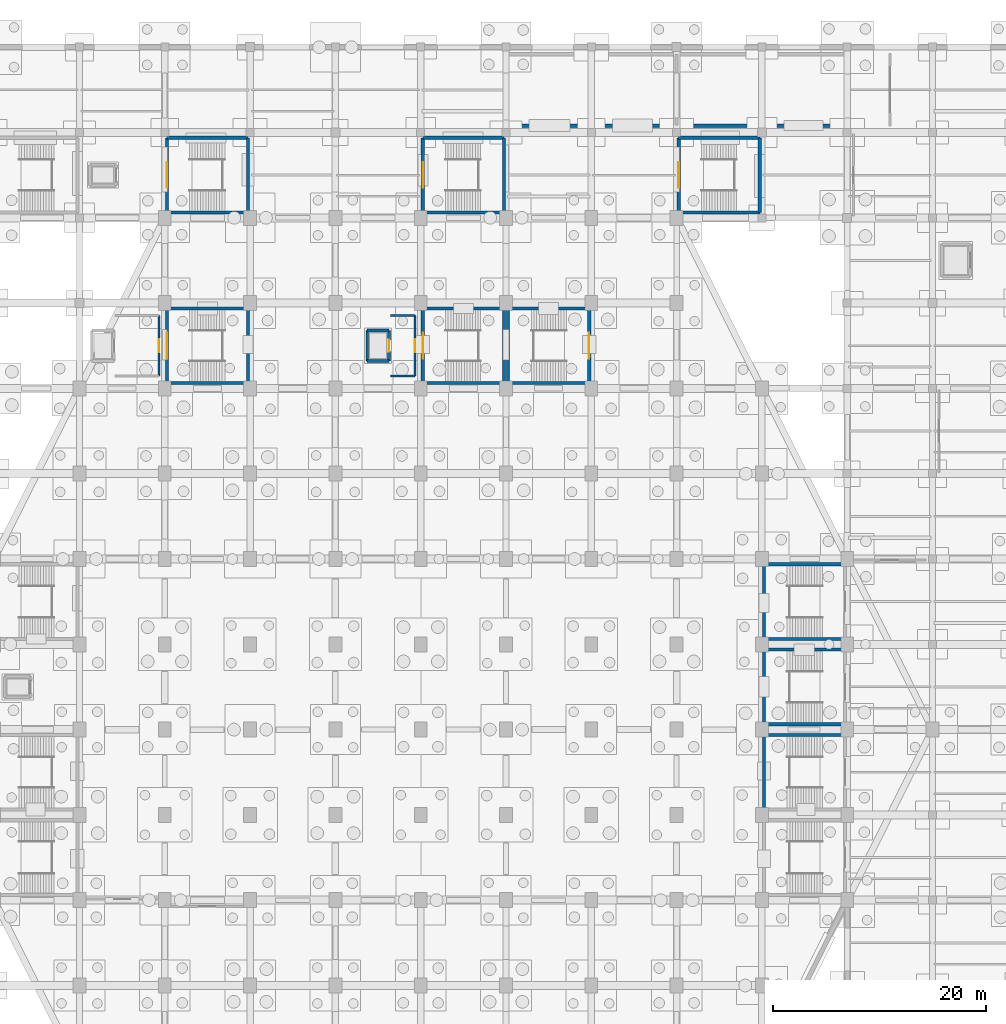
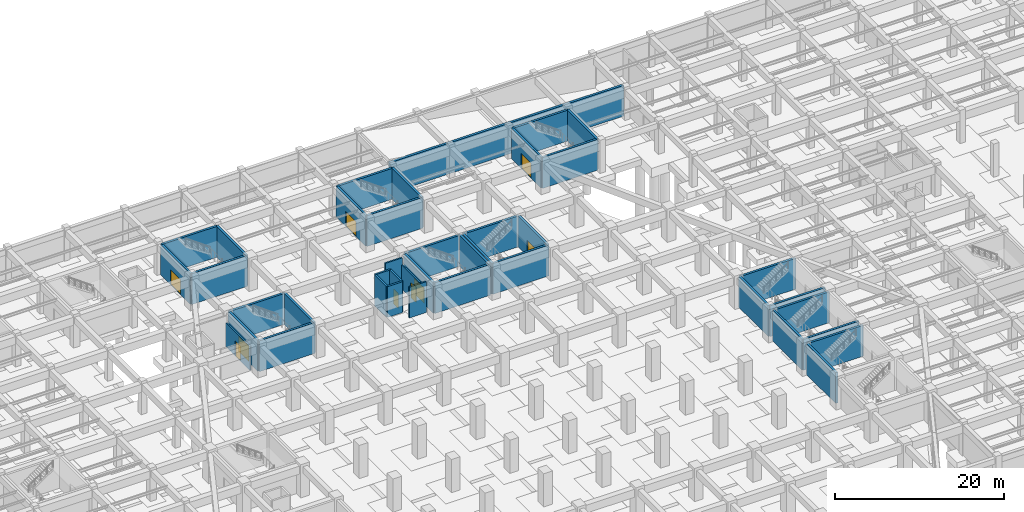
# One storey, part 27 of 36: 41 walls, 9 doors, 9 openings.
"""IFC4 building model written with IfcOpenShell, lengths in metres."""

from ifc_helpers import new_model, si_unit, direction, frame, frame_2d, origin, place, context, subcontext, project, spatial, rectangle, extrude, material, layer, layer_set, type_object, element, fill, save


model = new_model("IFC4")

# Units and contexts
model_context = context("Model", 3, precision=1e-05, world=origin(), true_north=direction((0.0, 1.0)))
body_context = subcontext(model_context, "Body", "Model", "MODEL_VIEW")
ifc_project = project(units=[si_unit("LENGTHUNIT", "METRE"), si_unit("AREAUNIT", "SQUARE_METRE"), si_unit("VOLUMEUNIT", "CUBIC_METRE"), si_unit("PLANEANGLEUNIT", "RADIAN"), si_unit("MASSUNIT", "GRAM", prefix="KILO")], contexts=[model_context])

# Site, building, storey
site_placement = place(None, origin())
site = spatial("IfcSite", under=ifc_project, at=site_placement, CompositionType="ELEMENT")
building_placement = place(site_placement, origin())
building = spatial("IfcBuilding", under=site, at=building_placement, Name="Tazarka Park Arena", CompositionType="ELEMENT")
storey_placement = place(building_placement, frame((0.0, 0.0, -4.800048828125)))
storey = spatial("IfcBuildingStorey", under=building, at=storey_placement, Name="B1", CompositionType="ELEMENT", Elevation=-4.800048828125)

# Wall
ifc_material_1 = material(Name="Concrete C40/50", Category="concrete")
ifc_layer_1 = layer(ifc_material_1, 0.300048828125, Name="Concrete C40/50")
ifc_layer_set_1 = layer_set([ifc_layer_1], Name="Concrete C40/50")
wall_type_1 = type_object("IfcWallType", Name="IWAL-CW-S1", PredefinedType="SHEAR", material=ifc_layer_set_1)
wall_1_placement = place(storey_placement, frame((71.800048828125, 112.5, 0.0), z_axis=(0.0, 0.0, 1.0), x_axis=(-1.0, 0.0, 0.0)))
element("IfcWall", 1, at=wall_1_placement, inside=storey, type_object=wall_type_1, Name="SCW-B1-ST06-S", PredefinedType="SHEAR", context=body_context, shape_type="SweptSolid", body=[
    extrude(rectangle(XDim=7.60009765625, YDim=0.300048828125, at=frame_2d((3.800048828125, 0.0))), origin(), (0.0, 0.0, 1.0), 4.4599609375),
])

# Wall, opening, door
wall_2_placement = place(storey_placement, frame((64.199951171875, 112.5, 0.0), z_axis=(0.0, 0.0, 1.0), x_axis=(0.0, 1.0, 0.0)))
wall_2 = element("IfcWall", 2, at=wall_2_placement, inside=storey, type_object=wall_type_1, Name="SCW-B1-ST06-W", PredefinedType="SHEAR", context=body_context, shape_type="SweptSolid", body=[
    extrude(rectangle(XDim=7.0, YDim=0.300048828125, at=frame_2d((3.5, 0.0))), origin(), (0.0, 0.0, 1.0), 4.4599609375),
])
opening_1_placement = place(wall_2_placement, frame((2.300048828125, 0.0, 0.0)))
opening_1 = element("IfcOpeningElement", 3, at=opening_1_placement, cuts=wall_2, Name="Opening ID-05", PredefinedType="OPENING", context=body_context, shape_type="SweptSolid", body=[
    extrude(rectangle(XDim=2.39990234375, YDim=2.199951171875, at=frame_2d((1.199951171875, 1.10009765625))), frame((0.0, 0.16015625, 0.0), z_axis=(0.0, -1.0, 0.0), x_axis=(1.0, 0.0, 0.0)), (0.0, 0.0, 1.0), 0.320068359375),
])
ifc_material_2 = material(Name="Fire-rated powder-coated steel and acoustic timber", Category="steel")
door_type_1 = type_object("IfcDoorType", Name="IDR-ID-05", OperationType="NOTDEFINED", PredefinedType="DOOR", material=ifc_material_2)
door_1_placement = place(opening_1_placement, frame((2.39990234375, 0.0, 0.0), z_axis=(0.0, 0.0, 1.0), x_axis=(-1.0, 0.0, 0.0)))
door_1 = element("IfcDoor", 4, at=door_1_placement, inside=storey, type_object=door_type_1, Name="Exit Stair Door ST06-B1", OperationType="DOUBLE_DOOR_SINGLE_SWING", OverallHeight=2.199951171875, OverallWidth=2.39990234375, PredefinedType="DOOR", context=body_context, shape_type="SweptSolid", body=[
    extrude(rectangle(XDim=2.39990234375, YDim=2.199951171875, at=frame_2d((1.199951171875, 1.10009765625))), frame((0.0, 0.02490234375, 0.0), z_axis=(0.0, -1.0, 0.0), x_axis=(1.0, 0.0, 0.0)), (0.0, 0.0, 1.0), 0.050048828125),
])
fill(opening_1, door_1)

# Walls
wall_3_placement = place(storey_placement, frame((64.199951171875, 119.5, 0.0), z_axis=(0.0, 0.0, 1.0), x_axis=(1.0, 0.0, 0.0)))
element("IfcWall", 5, at=wall_3_placement, inside=storey, type_object=wall_type_1, Name="SCW-B1-ST06-N", PredefinedType="SHEAR", context=body_context, shape_type="SweptSolid", body=[
    extrude(rectangle(XDim=7.60009765625, YDim=0.300048828125, at=frame_2d((3.800048828125, 0.0))), origin(), (0.0, 0.0, 1.0), 4.4599609375),
])
wall_4_placement = place(storey_placement, frame((71.800048828125, 119.5, 0.0), z_axis=(0.0, 0.0, 1.0), x_axis=(0.0, -1.0, 0.0)))
element("IfcWall", 6, at=wall_4_placement, inside=storey, type_object=wall_type_1, Name="SCW-B1-ST06-E", PredefinedType="SHEAR", context=body_context, shape_type="SweptSolid", body=[
    extrude(rectangle(XDim=7.0, YDim=0.300048828125, at=frame_2d((3.5, 0.0))), origin(), (0.0, 0.0, 1.0), 4.4599609375),
])
wall_5_placement = place(storey_placement, frame((95.800048828125, 112.5, 0.0), z_axis=(0.0, 0.0, 1.0), x_axis=(-1.0, 0.0, 0.0)))
element("IfcWall", 7, at=wall_5_placement, inside=storey, type_object=wall_type_1, Name="SCW-B1-ST07-S", PredefinedType="SHEAR", context=body_context, shape_type="SweptSolid", body=[
    extrude(rectangle(XDim=7.60009765625, YDim=0.300048828125, at=frame_2d((3.800048828125, 0.0))), origin(), (0.0, 0.0, 1.0), 4.4599609375),
])

# Wall, opening, door
wall_6_placement = place(storey_placement, frame((88.199951171875, 112.5, 0.0), z_axis=(0.0, 0.0, 1.0), x_axis=(0.0, 1.0, 0.0)))
wall_6 = element("IfcWall", 8, at=wall_6_placement, inside=storey, type_object=wall_type_1, Name="SCW-B1-ST07-W", PredefinedType="SHEAR", context=body_context, shape_type="SweptSolid", body=[
    extrude(rectangle(XDim=7.0, YDim=0.300048828125, at=frame_2d((3.5, 0.0))), origin(), (0.0, 0.0, 1.0), 4.4599609375),
])
opening_2_placement = place(wall_6_placement, frame((2.300048828125, 0.0, 0.0)))
opening_2 = element("IfcOpeningElement", 9, at=opening_2_placement, cuts=wall_6, Name="Opening ID-05", PredefinedType="OPENING", context=body_context, shape_type="SweptSolid", body=[
    extrude(rectangle(XDim=2.39990234375, YDim=2.199951171875, at=frame_2d((1.199951171875, 1.10009765625))), frame((0.0, 0.16015625, 0.0), z_axis=(0.0, -1.0, 0.0), x_axis=(1.0, 0.0, 0.0)), (0.0, 0.0, 1.0), 0.320068359375),
])
door_2_placement = place(opening_2_placement, frame((2.39990234375, 0.0, 0.0), z_axis=(0.0, 0.0, 1.0), x_axis=(-1.0, 0.0, 0.0)))
door_2 = element("IfcDoor", 10, at=door_2_placement, inside=storey, type_object=door_type_1, Name="Exit Stair Door ST07-B1", OperationType="DOUBLE_DOOR_SINGLE_SWING", OverallHeight=2.199951171875, OverallWidth=2.39990234375, PredefinedType="DOOR", context=body_context, shape_type="SweptSolid", body=[
    extrude(rectangle(XDim=2.39990234375, YDim=2.199951171875, at=frame_2d((1.199951171875, 1.10009765625))), frame((0.0, 0.02490234375, 0.0), z_axis=(0.0, -1.0, 0.0), x_axis=(1.0, 0.0, 0.0)), (0.0, 0.0, 1.0), 0.050048828125),
])
fill(opening_2, door_2)

# Walls
wall_7_placement = place(storey_placement, frame((88.199951171875, 119.5, 0.0), z_axis=(0.0, 0.0, 1.0), x_axis=(1.0, 0.0, 0.0)))
element("IfcWall", 11, at=wall_7_placement, inside=storey, type_object=wall_type_1, Name="SCW-B1-ST07-N", PredefinedType="SHEAR", context=body_context, shape_type="SweptSolid", body=[
    extrude(rectangle(XDim=7.60009765625, YDim=0.300048828125, at=frame_2d((3.800048828125, 0.0))), origin(), (0.0, 0.0, 1.0), 4.4599609375),
])
wall_8_placement = place(storey_placement, frame((95.800048828125, 119.5, 0.0), z_axis=(0.0, 0.0, 1.0), x_axis=(0.0, -1.0, 0.0)))
element("IfcWall", 12, at=wall_8_placement, inside=storey, type_object=wall_type_1, Name="SCW-B1-ST07-E", PredefinedType="SHEAR", context=body_context, shape_type="SweptSolid", body=[
    extrude(rectangle(XDim=7.0, YDim=0.300048828125, at=frame_2d((3.5, 0.0))), origin(), (0.0, 0.0, 1.0), 4.4599609375),
])
wall_9_placement = place(storey_placement, frame((119.800048828125, 112.5, 0.0), z_axis=(0.0, 0.0, 1.0), x_axis=(-1.0, 0.0, 0.0)))
element("IfcWall", 13, at=wall_9_placement, inside=storey, type_object=wall_type_1, Name="SCW-B1-ST08-S", PredefinedType="SHEAR", context=body_context, shape_type="SweptSolid", body=[
    extrude(rectangle(XDim=7.60009765625, YDim=0.300048828125, at=frame_2d((3.800048828125, 0.0))), origin(), (0.0, 0.0, 1.0), 4.4599609375),
])

# Wall, opening, door
wall_10_placement = place(storey_placement, frame((112.199951171875, 112.5, 0.0), z_axis=(0.0, 0.0, 1.0), x_axis=(0.0, 1.0, 0.0)))
wall_10 = element("IfcWall", 14, at=wall_10_placement, inside=storey, type_object=wall_type_1, Name="SCW-B1-ST08-W", PredefinedType="SHEAR", context=body_context, shape_type="SweptSolid", body=[
    extrude(rectangle(XDim=7.0, YDim=0.300048828125, at=frame_2d((3.5, 0.0))), origin(), (0.0, 0.0, 1.0), 4.4599609375),
])
opening_3_placement = place(wall_10_placement, frame((2.300048828125, 0.0, 0.0)))
opening_3 = element("IfcOpeningElement", 15, at=opening_3_placement, cuts=wall_10, Name="Opening ID-05", PredefinedType="OPENING", context=body_context, shape_type="SweptSolid", body=[
    extrude(rectangle(XDim=2.39990234375, YDim=2.199951171875, at=frame_2d((1.199951171875, 1.10009765625))), frame((0.0, 0.16015625, 0.0), z_axis=(0.0, -1.0, 0.0), x_axis=(1.0, 0.0, 0.0)), (0.0, 0.0, 1.0), 0.320068359375),
])
door_3_placement = place(opening_3_placement, frame((2.39990234375, 0.0, 0.0), z_axis=(0.0, 0.0, 1.0), x_axis=(-1.0, 0.0, 0.0)))
door_3 = element("IfcDoor", 16, at=door_3_placement, inside=storey, type_object=door_type_1, Name="Exit Stair Door ST08-B1", OperationType="DOUBLE_DOOR_SINGLE_SWING", OverallHeight=2.199951171875, OverallWidth=2.39990234375, PredefinedType="DOOR", context=body_context, shape_type="SweptSolid", body=[
    extrude(rectangle(XDim=2.39990234375, YDim=2.199951171875, at=frame_2d((1.199951171875, 1.10009765625))), frame((0.0, 0.02490234375, 0.0), z_axis=(0.0, -1.0, 0.0), x_axis=(1.0, 0.0, 0.0)), (0.0, 0.0, 1.0), 0.050048828125),
])
fill(opening_3, door_3)

# Walls
wall_11_placement = place(storey_placement, frame((112.199951171875, 119.5, 0.0), z_axis=(0.0, 0.0, 1.0), x_axis=(1.0, 0.0, 0.0)))
element("IfcWall", 17, at=wall_11_placement, inside=storey, type_object=wall_type_1, Name="SCW-B1-ST08-N", PredefinedType="SHEAR", context=body_context, shape_type="SweptSolid", body=[
    extrude(rectangle(XDim=7.60009765625, YDim=0.300048828125, at=frame_2d((3.800048828125, 0.0))), origin(), (0.0, 0.0, 1.0), 4.4599609375),
])
wall_12_placement = place(storey_placement, frame((119.800048828125, 119.5, 0.0), z_axis=(0.0, 0.0, 1.0), x_axis=(0.0, -1.0, 0.0)))
element("IfcWall", 18, at=wall_12_placement, inside=storey, type_object=wall_type_1, Name="SCW-B1-ST08-E", PredefinedType="SHEAR", context=body_context, shape_type="SweptSolid", body=[
    extrude(rectangle(XDim=7.0, YDim=0.300048828125, at=frame_2d((3.5, 0.0))), origin(), (0.0, 0.0, 1.0), 4.4599609375),
])
wall_13_placement = place(storey_placement, frame((103.800048828125, 96.5, 0.0), z_axis=(0.0, 0.0, 1.0), x_axis=(-1.0, 0.0, 0.0)))
element("IfcWall", 19, at=wall_13_placement, inside=storey, type_object=wall_type_1, Name="SCW-B1-ST10-S", PredefinedType="SHEAR", context=body_context, shape_type="SweptSolid", body=[
    extrude(rectangle(XDim=7.60009765625, YDim=0.300048828125, at=frame_2d((3.800048828125, 0.0))), origin(), (0.0, 0.0, 1.0), 4.4599609375),
])
wall_14_placement = place(storey_placement, frame((96.199951171875, 96.5, 0.0), z_axis=(0.0, 0.0, 1.0), x_axis=(0.0, 1.0, 0.0)))
element("IfcWall", 20, at=wall_14_placement, inside=storey, type_object=wall_type_1, Name="SCW-B1-ST10-W", PredefinedType="SHEAR", context=body_context, shape_type="SweptSolid", body=[
    extrude(rectangle(XDim=7.0, YDim=0.300048828125, at=frame_2d((3.5, 0.0))), origin(), (0.0, 0.0, 1.0), 4.4599609375),
])
wall_15_placement = place(storey_placement, frame((96.199951171875, 103.5, 0.0), z_axis=(0.0, 0.0, 1.0), x_axis=(1.0, 0.0, 0.0)))
element("IfcWall", 21, at=wall_15_placement, inside=storey, type_object=wall_type_1, Name="SCW-B1-ST10-N", PredefinedType="SHEAR", context=body_context, shape_type="SweptSolid", body=[
    extrude(rectangle(XDim=7.60009765625, YDim=0.300048828125, at=frame_2d((3.800048828125, 0.0))), origin(), (0.0, 0.0, 1.0), 4.4599609375),
])

# Wall, opening, door
wall_16_placement = place(storey_placement, frame((103.800048828125, 103.5, 0.0), z_axis=(0.0, 0.0, 1.0), x_axis=(0.0, -1.0, 0.0)))
wall_16 = element("IfcWall", 22, at=wall_16_placement, inside=storey, type_object=wall_type_1, Name="SCW-B1-ST10-E", PredefinedType="SHEAR", context=body_context, shape_type="SweptSolid", body=[
    extrude(rectangle(XDim=7.0, YDim=0.300048828125, at=frame_2d((3.5, 0.0))), origin(), (0.0, 0.0, 1.0), 4.4599609375),
])
opening_4_placement = place(wall_16_placement, frame((2.300048828125, 0.0, 0.0)))
opening_4 = element("IfcOpeningElement", 23, at=opening_4_placement, cuts=wall_16, Name="Opening ID-05", PredefinedType="OPENING", context=body_context, shape_type="SweptSolid", body=[
    extrude(rectangle(XDim=2.39990234375, YDim=2.199951171875, at=frame_2d((1.199951171875, 1.10009765625))), frame((0.0, 0.16015625, 0.0), z_axis=(0.0, -1.0, 0.0), x_axis=(1.0, 0.0, 0.0)), (0.0, 0.0, 1.0), 0.320068359375),
])
door_4_placement = place(opening_4_placement, frame((2.39990234375, 0.0, 0.0), z_axis=(0.0, 0.0, 1.0), x_axis=(-1.0, 0.0, 0.0)))
door_4 = element("IfcDoor", 24, at=door_4_placement, inside=storey, type_object=door_type_1, Name="Exit Stair Door ST10-B1", OperationType="DOUBLE_DOOR_SINGLE_SWING", OverallHeight=2.199951171875, OverallWidth=2.39990234375, PredefinedType="DOOR", context=body_context, shape_type="SweptSolid", body=[
    extrude(rectangle(XDim=2.39990234375, YDim=2.199951171875, at=frame_2d((1.199951171875, 1.10009765625))), frame((0.0, 0.02490234375, 0.0), z_axis=(0.0, -1.0, 0.0), x_axis=(1.0, 0.0, 0.0)), (0.0, 0.0, 1.0), 0.050048828125),
])
fill(opening_4, door_4)

# Walls
wall_17_placement = place(storey_placement, frame((120.199951171875, 56.5, 0.0), z_axis=(0.0, 0.0, 1.0), x_axis=(0.0, 1.0, 0.0)))
element("IfcWall", 25, at=wall_17_placement, inside=storey, type_object=wall_type_1, Name="SCW-B1-ST12-W", PredefinedType="SHEAR", context=body_context, shape_type="SweptSolid", body=[
    extrude(rectangle(XDim=7.0, YDim=0.300048828125, at=frame_2d((3.5, 0.0))), origin(), (0.0, 0.0, 1.0), 4.4599609375),
])
for number, where, z_axis, x_axis, name in (
    (26, (120.199951171875, 63.5, 0.0), (0.0, 0.0, 1.0), (1.0, 0.0, 0.0), "SCW-B1-ST12-N"),
    (27, (71.800048828125, 96.5, 0.0), (0.0, 0.0, 1.0), (-1.0, 0.0, 0.0), "SCW-B1-ST14-S"),
):
    element("IfcWall", number, at=place(storey_placement, frame(where, z_axis=z_axis, x_axis=x_axis)), inside=storey, type_object=wall_type_1, Name=name, PredefinedType="SHEAR", context=body_context, shape_type="SweptSolid", body=[
        extrude(rectangle(XDim=7.60009765625, YDim=0.300048828125, at=frame_2d((3.800048828125, 0.0))), origin(), (0.0, 0.0, 1.0), 4.4599609375),
    ])

# Wall, opening, door
wall_18_placement = place(storey_placement, frame((64.199951171875, 96.5, 0.0), z_axis=(0.0, 0.0, 1.0), x_axis=(0.0, 1.0, 0.0)))
wall_18 = element("IfcWall", 28, at=wall_18_placement, inside=storey, type_object=wall_type_1, Name="SCW-B1-ST14-W", PredefinedType="SHEAR", context=body_context, shape_type="SweptSolid", body=[
    extrude(rectangle(XDim=7.0, YDim=0.300048828125, at=frame_2d((3.5, 0.0))), origin(), (0.0, 0.0, 1.0), 4.4599609375),
])
opening_5_placement = place(wall_18_placement, frame((2.300048828125, 0.0, 0.0)))
opening_5 = element("IfcOpeningElement", 29, at=opening_5_placement, cuts=wall_18, Name="Opening ID-05", PredefinedType="OPENING", context=body_context, shape_type="SweptSolid", body=[
    extrude(rectangle(XDim=2.39990234375, YDim=2.199951171875, at=frame_2d((1.199951171875, 1.10009765625))), frame((0.0, 0.16015625, 0.0), z_axis=(0.0, -1.0, 0.0), x_axis=(1.0, 0.0, 0.0)), (0.0, 0.0, 1.0), 0.320068359375),
])
door_5_placement = place(opening_5_placement, frame((2.39990234375, 0.0, 0.0), z_axis=(0.0, 0.0, 1.0), x_axis=(-1.0, 0.0, 0.0)))
door_5 = element("IfcDoor", 30, at=door_5_placement, inside=storey, type_object=door_type_1, Name="Exit Stair Door ST14-B1", OperationType="DOUBLE_DOOR_SINGLE_SWING", OverallHeight=2.199951171875, OverallWidth=2.39990234375, PredefinedType="DOOR", context=body_context, shape_type="SweptSolid", body=[
    extrude(rectangle(XDim=2.39990234375, YDim=2.199951171875, at=frame_2d((1.199951171875, 1.10009765625))), frame((0.0, 0.02490234375, 0.0), z_axis=(0.0, -1.0, 0.0), x_axis=(1.0, 0.0, 0.0)), (0.0, 0.0, 1.0), 0.050048828125),
])
fill(opening_5, door_5)

# Walls
wall_19_placement = place(storey_placement, frame((64.199951171875, 103.5, 0.0), z_axis=(0.0, 0.0, 1.0), x_axis=(1.0, 0.0, 0.0)))
element("IfcWall", 31, at=wall_19_placement, inside=storey, type_object=wall_type_1, Name="SCW-B1-ST14-N", PredefinedType="SHEAR", context=body_context, shape_type="SweptSolid", body=[
    extrude(rectangle(XDim=7.60009765625, YDim=0.300048828125, at=frame_2d((3.800048828125, 0.0))), origin(), (0.0, 0.0, 1.0), 4.4599609375),
])
wall_20_placement = place(storey_placement, frame((71.800048828125, 103.5, 0.0), z_axis=(0.0, 0.0, 1.0), x_axis=(0.0, -1.0, 0.0)))
element("IfcWall", 32, at=wall_20_placement, inside=storey, type_object=wall_type_1, Name="SCW-B1-ST14-E", PredefinedType="SHEAR", context=body_context, shape_type="SweptSolid", body=[
    extrude(rectangle(XDim=7.0, YDim=0.300048828125, at=frame_2d((3.5, 0.0))), origin(), (0.0, 0.0, 1.0), 4.4599609375),
])
wall_21_placement = place(storey_placement, frame((95.800048828125, 96.5, 0.0), z_axis=(0.0, 0.0, 1.0), x_axis=(-1.0, 0.0, 0.0)))
element("IfcWall", 33, at=wall_21_placement, inside=storey, type_object=wall_type_1, Name="SCW-B1-ST15-S", PredefinedType="SHEAR", context=body_context, shape_type="SweptSolid", body=[
    extrude(rectangle(XDim=7.60009765625, YDim=0.300048828125, at=frame_2d((3.800048828125, 0.0))), origin(), (0.0, 0.0, 1.0), 4.4599609375),
])

# Wall, opening, door
wall_22_placement = place(storey_placement, frame((88.199951171875, 96.5, 0.0), z_axis=(0.0, 0.0, 1.0), x_axis=(0.0, 1.0, 0.0)))
wall_22 = element("IfcWall", 34, at=wall_22_placement, inside=storey, type_object=wall_type_1, Name="SCW-B1-ST15-W", PredefinedType="SHEAR", context=body_context, shape_type="SweptSolid", body=[
    extrude(rectangle(XDim=7.0, YDim=0.300048828125, at=frame_2d((3.5, 0.0))), origin(), (0.0, 0.0, 1.0), 4.4599609375),
])
opening_6_placement = place(wall_22_placement, frame((2.300048828125, 0.0, 0.0)))
opening_6 = element("IfcOpeningElement", 35, at=opening_6_placement, cuts=wall_22, Name="Opening ID-05", PredefinedType="OPENING", context=body_context, shape_type="SweptSolid", body=[
    extrude(rectangle(XDim=2.39990234375, YDim=2.199951171875, at=frame_2d((1.199951171875, 1.10009765625))), frame((0.0, 0.16015625, 0.0), z_axis=(0.0, -1.0, 0.0), x_axis=(1.0, 0.0, 0.0)), (0.0, 0.0, 1.0), 0.320068359375),
])
door_6_placement = place(opening_6_placement, frame((2.39990234375, 0.0, 0.0), z_axis=(0.0, 0.0, 1.0), x_axis=(-1.0, 0.0, 0.0)))
door_6 = element("IfcDoor", 36, at=door_6_placement, inside=storey, type_object=door_type_1, Name="Exit Stair Door ST15-B1", OperationType="DOUBLE_DOOR_SINGLE_SWING", OverallHeight=2.199951171875, OverallWidth=2.39990234375, PredefinedType="DOOR", context=body_context, shape_type="SweptSolid", body=[
    extrude(rectangle(XDim=2.39990234375, YDim=2.199951171875, at=frame_2d((1.199951171875, 1.10009765625))), frame((0.0, 0.02490234375, 0.0), z_axis=(0.0, -1.0, 0.0), x_axis=(1.0, 0.0, 0.0)), (0.0, 0.0, 1.0), 0.050048828125),
])
fill(opening_6, door_6)

# Walls
wall_23_placement = place(storey_placement, frame((88.199951171875, 103.5, 0.0), z_axis=(0.0, 0.0, 1.0), x_axis=(1.0, 0.0, 0.0)))
element("IfcWall", 37, at=wall_23_placement, inside=storey, type_object=wall_type_1, Name="SCW-B1-ST15-N", PredefinedType="SHEAR", context=body_context, shape_type="SweptSolid", body=[
    extrude(rectangle(XDim=7.60009765625, YDim=0.300048828125, at=frame_2d((3.800048828125, 0.0))), origin(), (0.0, 0.0, 1.0), 4.4599609375),
])
wall_24_placement = place(storey_placement, frame((95.800048828125, 103.5, 0.0), z_axis=(0.0, 0.0, 1.0), x_axis=(0.0, -1.0, 0.0)))
element("IfcWall", 38, at=wall_24_placement, inside=storey, type_object=wall_type_1, Name="SCW-B1-ST15-E", PredefinedType="SHEAR", context=body_context, shape_type="SweptSolid", body=[
    extrude(rectangle(XDim=7.0, YDim=0.300048828125, at=frame_2d((3.5, 0.0))), origin(), (0.0, 0.0, 1.0), 4.4599609375),
])
wall_25_placement = place(storey_placement, frame((127.800048828125, 64.5, 0.0), z_axis=(0.0, 0.0, 1.0), x_axis=(-1.0, 0.0, 0.0)))
element("IfcWall", 39, at=wall_25_placement, inside=storey, type_object=wall_type_1, Name="SCW-B1-ST16-S", PredefinedType="SHEAR", context=body_context, shape_type="SweptSolid", body=[
    extrude(rectangle(XDim=7.60009765625, YDim=0.300048828125, at=frame_2d((3.800048828125, 0.0))), origin(), (0.0, 0.0, 1.0), 4.4599609375),
])
wall_26_placement = place(storey_placement, frame((120.199951171875, 64.5, 0.0), z_axis=(0.0, 0.0, 1.0), x_axis=(0.0, 1.0, 0.0)))
element("IfcWall", 40, at=wall_26_placement, inside=storey, type_object=wall_type_1, Name="SCW-B1-ST16-W", PredefinedType="SHEAR", context=body_context, shape_type="SweptSolid", body=[
    extrude(rectangle(XDim=7.0, YDim=0.300048828125, at=frame_2d((3.5, 0.0))), origin(), (0.0, 0.0, 1.0), 4.4599609375),
])
for number, where, z_axis, x_axis, name in (
    (41, (120.199951171875, 71.5, 0.0), (0.0, 0.0, 1.0), (1.0, 0.0, 0.0), "SCW-B1-ST16-N"),
    (42, (127.800048828125, 72.5, 0.0), (0.0, 0.0, 1.0), (-1.0, 0.0, 0.0), "SCW-B1-ST22-S"),
):
    element("IfcWall", number, at=place(storey_placement, frame(where, z_axis=z_axis, x_axis=x_axis)), inside=storey, type_object=wall_type_1, Name=name, PredefinedType="SHEAR", context=body_context, shape_type="SweptSolid", body=[
        extrude(rectangle(XDim=7.60009765625, YDim=0.300048828125, at=frame_2d((3.800048828125, 0.0))), origin(), (0.0, 0.0, 1.0), 4.4599609375),
    ])
wall_27_placement = place(storey_placement, frame((120.199951171875, 72.5, 0.0), z_axis=(0.0, 0.0, 1.0), x_axis=(0.0, 1.0, 0.0)))
element("IfcWall", 43, at=wall_27_placement, inside=storey, type_object=wall_type_1, Name="SCW-B1-ST22-W", PredefinedType="SHEAR", context=body_context, shape_type="SweptSolid", body=[
    extrude(rectangle(XDim=7.0, YDim=0.300048828125, at=frame_2d((3.5, 0.0))), origin(), (0.0, 0.0, 1.0), 4.4599609375),
])
wall_28_placement = place(storey_placement, frame((120.199951171875, 79.5, 0.0), z_axis=(0.0, 0.0, 1.0), x_axis=(1.0, 0.0, 0.0)))
element("IfcWall", 44, at=wall_28_placement, inside=storey, type_object=wall_type_1, Name="SCW-B1-ST22-N", PredefinedType="SHEAR", context=body_context, shape_type="SweptSolid", body=[
    extrude(rectangle(XDim=7.60009765625, YDim=0.300048828125, at=frame_2d((3.800048828125, 0.0))), origin(), (0.0, 0.0, 1.0), 4.4599609375),
])
ifc_material_3 = material(Name="Concrete C40/50", Category="concrete")
ifc_layer_2 = layer(ifc_material_3, 0.260009765625, Name="Concrete C40/50")
ifc_layer_set_2 = layer_set([ifc_layer_2], Name="Concrete C40/50")
wall_type_2 = type_object("IfcWallType", Name="IWAL-CW-S3", PredefinedType="SHEAR", material=ifc_layer_set_2)
wall_29_placement = place(storey_placement, frame((82.97998046875, 98.580078125, 0.0), z_axis=(0.0, 0.0, 1.0), x_axis=(0.0, 1.0, 0.0)))
element("IfcWall", 45, at=wall_29_placement, inside=storey, type_object=wall_type_2, Name="LSW-B1-LF-03-W", PredefinedType="SHEAR", context=body_context, shape_type="SweptSolid", body=[
    extrude(rectangle(XDim=2.83984375, YDim=0.260009765625, at=frame_2d((1.419921875, 0.0))), origin(), (0.0, 0.0, 1.0), 4.4599609375),
])
for number, where, z_axis, x_axis, name in (
    (46, (82.97998046875, 101.419921875, 0.0), (0.0, 0.0, 1.0), (1.0, 0.0, 0.0), "LSW-B1-LF-03-N"),
    (47, (85.02001953125, 98.580078125, 0.0), (0.0, 0.0, 1.0), (-1.0, 0.0, 0.0), "LSW-B1-LF-03-S"),
):
    element("IfcWall", number, at=place(storey_placement, frame(where, z_axis=z_axis, x_axis=x_axis)), inside=storey, type_object=wall_type_2, Name=name, PredefinedType="SHEAR", context=body_context, shape_type="SweptSolid", body=[
        extrude(rectangle(XDim=2.0400390625, YDim=0.260009765625, at=frame_2d((1.02001953125, 0.0))), origin(), (0.0, 0.0, 1.0), 4.4599609375),
    ])

# Wall, opening, door
wall_30_placement = place(storey_placement, frame((85.02001953125, 101.419921875, 0.0), z_axis=(0.0, 0.0, 1.0), x_axis=(0.0, -1.0, 0.0)))
wall_30 = element("IfcWall", 48, at=wall_30_placement, inside=storey, type_object=wall_type_2, Name="LSW-B1-LF-03-E", PredefinedType="SHEAR", context=body_context, shape_type="SweptSolid", body=[
    extrude(rectangle(XDim=2.83984375, YDim=0.260009765625, at=frame_2d((1.419921875, 0.0))), origin(), (0.0, 0.0, 1.0), 4.4599609375),
])
opening_7_placement = place(wall_30_placement, frame((0.8701171875, 0.0, 0.0)))
opening_7 = element("IfcOpeningElement", 49, at=opening_7_placement, cuts=wall_30, Name="Opening LD-01", PredefinedType="OPENING", context=body_context, shape_type="SweptSolid", body=[
    extrude(rectangle(XDim=1.10009765625, YDim=2.14990234375, at=frame_2d((0.550048828125, 1.074951171875))), frame((0.0, 0.14013671875, 0.0), z_axis=(0.0, -1.0, 0.0), x_axis=(1.0, 0.0, 0.0)), (0.0, 0.0, 1.0), 0.280029296875),
])
ifc_material_4 = material(Name="Fire-rated powder-coated steel and acoustic timber", Category="steel")
door_type_2 = type_object("IfcDoorType", Name="IDR-LD-01", OperationType="NOTDEFINED", PredefinedType="DOOR", material=ifc_material_4)
door_7_placement = place(opening_7_placement, origin())
door_7 = element("IfcDoor", 50, at=door_7_placement, inside=storey, type_object=door_type_2, Name="Lift Landing Door LF-03-B1", OperationType="SLIDING_TO_LEFT", OverallHeight=2.14990234375, OverallWidth=1.10009765625, PredefinedType="DOOR", context=body_context, shape_type="SweptSolid", body=[
    extrude(rectangle(XDim=1.10009765625, YDim=2.14990234375, at=frame_2d((0.550048828125, 1.074951171875))), frame((0.0, 0.02490234375, 0.0), z_axis=(0.0, -1.0, 0.0), x_axis=(1.0, 0.0, 0.0)), (0.0, 0.0, 1.0), 0.050048828125),
])
fill(opening_7, door_7)

# Wall
ifc_material_5 = material(Name="Concrete C40/50", Category="concrete")
ifc_layer_3 = layer(ifc_material_5, 0.320068359375, Name="Concrete C40/50")
ifc_layer_set_3 = layer_set([ifc_layer_3], Name="Concrete C40/50")
wall_type_3 = type_object("IfcWallType", Name="IWAL-CW-S4", PredefinedType="SHEAR", material=ifc_layer_set_3)
wall_31_placement = place(storey_placement, frame((96.0, 120.64990234375, 0.0), z_axis=(0.0, 0.0, 1.0), x_axis=(1.0, 0.0, 0.0)))
element("IfcWall", 51, at=wall_31_placement, inside=storey, type_object=wall_type_3, Name="VRW-B1-S", PredefinedType="SHEAR", context=body_context, shape_type="SweptSolid", body=[
    extrude(rectangle(XDim=32.0, YDim=0.320068359375, at=frame_2d((16.0, 0.0))), origin(), (0.0, 0.0, 1.0), 4.4599609375),
])

# Wall, opening, door
ifc_material_6 = material(Name="Reinforced masonry compartment wall", Category="masonry")
ifc_layer_4 = layer(ifc_material_6, 0.199951171875, Name="Reinforced masonry compartment wall")
ifc_layer_set_4 = layer_set([ifc_layer_4], Name="Reinforced masonry compartment wall")
wall_type_4 = type_object("IfcWallType", Name="IWAL-PT-04", PredefinedType="PARTITIONING", material=ifc_layer_set_4)
wall_32_placement = place(storey_placement, frame((63.449951171875, 102.85009765625, 0.0), z_axis=(0.0, 0.0, 1.0), x_axis=(0.0, -1.0, 0.0)))
wall_32 = element("IfcWall", 52, at=wall_32_placement, inside=storey, type_object=wall_type_4, Name="FFW-B1-LF-02-E", PredefinedType="PARTITIONING", context=body_context, shape_type="SweptSolid", body=[
    extrude(rectangle(XDim=5.7001953125, YDim=0.199951171875, at=frame_2d((2.85009765625, 0.0))), origin(), (0.0, 0.0, 1.0), 3.449951171875),
])
opening_8_placement = place(wall_32_placement, frame((2.25, 0.0, 0.0)))
opening_8 = element("IfcOpeningElement", 53, at=opening_8_placement, cuts=wall_32, Name="Opening ID-03", PredefinedType="OPENING", context=body_context, shape_type="SweptSolid", body=[
    extrude(rectangle(XDim=1.199951171875, YDim=2.199951171875, at=frame_2d((0.60009765625, 1.10009765625))), frame((0.0, 0.10986328125, 0.0), z_axis=(0.0, -1.0, 0.0), x_axis=(1.0, 0.0, 0.0)), (0.0, 0.0, 1.0), 0.219970703125),
])
ifc_material_7 = material(Name="Fire-rated powder-coated steel and acoustic timber", Category="steel")
door_type_3 = type_object("IfcDoorType", Name="IDR-ID-03", OperationType="NOTDEFINED", PredefinedType="DOOR", material=ifc_material_7)
door_8_placement = place(opening_8_placement, origin())
door_8 = element("IfcDoor", 54, at=door_8_placement, inside=storey, type_object=door_type_3, Name="Firefighting Lobby Door LF-02-B1", OperationType="SINGLE_SWING_RIGHT", OverallHeight=2.199951171875, OverallWidth=1.199951171875, PredefinedType="DOOR", context=body_context, shape_type="SweptSolid", body=[
    extrude(rectangle(XDim=1.199951171875, YDim=2.199951171875, at=frame_2d((0.60009765625, 1.10009765625))), frame((0.0, 0.02490234375, 0.0), z_axis=(0.0, -1.0, 0.0), x_axis=(1.0, 0.0, 0.0)), (0.0, 0.0, 1.0), 0.050048828125),
])
fill(opening_8, door_8)

# Walls
for number, where, z_axis, x_axis, name in (
    (55, (85.14990234375, 102.85009765625, 0.0), (0.0, 0.0, 1.0), (1.0, 0.0, 0.0), "FFW-B1-LF-03-N"),
    (56, (87.449951171875, 97.14990234375, 0.0), (0.0, 0.0, 1.0), (-1.0, 0.0, 0.0), "FFW-B1-LF-03-S"),
):
    element("IfcWall", number, at=place(storey_placement, frame(where, z_axis=z_axis, x_axis=x_axis)), inside=storey, type_object=wall_type_4, Name=name, PredefinedType="PARTITIONING", context=body_context, shape_type="SweptSolid", body=[
        extrude(rectangle(XDim=2.300048828125, YDim=0.199951171875, at=frame_2d((1.14990234375, 0.0))), origin(), (0.0, 0.0, 1.0), 4.4599609375),
    ])

# Wall, opening, door
wall_33_placement = place(storey_placement, frame((87.449951171875, 102.85009765625, 0.0), z_axis=(0.0, 0.0, 1.0), x_axis=(0.0, -1.0, 0.0)))
wall_33 = element("IfcWall", 57, at=wall_33_placement, inside=storey, type_object=wall_type_4, Name="FFW-B1-LF-03-E", PredefinedType="PARTITIONING", context=body_context, shape_type="SweptSolid", body=[
    extrude(rectangle(XDim=5.7001953125, YDim=0.199951171875, at=frame_2d((2.85009765625, 0.0))), origin(), (0.0, 0.0, 1.0), 3.449951171875),
])
opening_9_placement = place(wall_33_placement, frame((2.25, 0.0, 0.0)))
opening_9 = element("IfcOpeningElement", 58, at=opening_9_placement, cuts=wall_33, Name="Opening ID-03", PredefinedType="OPENING", context=body_context, shape_type="SweptSolid", body=[
    extrude(rectangle(XDim=1.199951171875, YDim=2.199951171875, at=frame_2d((0.60009765625, 1.10009765625))), frame((0.0, 0.10986328125, 0.0), z_axis=(0.0, -1.0, 0.0), x_axis=(1.0, 0.0, 0.0)), (0.0, 0.0, 1.0), 0.219970703125),
])
door_9_placement = place(opening_9_placement, origin())
door_9 = element("IfcDoor", 59, at=door_9_placement, inside=storey, type_object=door_type_3, Name="Firefighting Lobby Door LF-03-B1", OperationType="SINGLE_SWING_LEFT", OverallHeight=2.199951171875, OverallWidth=1.199951171875, PredefinedType="DOOR", context=body_context, shape_type="SweptSolid", body=[
    extrude(rectangle(XDim=1.199951171875, YDim=2.199951171875, at=frame_2d((0.60009765625, 1.10009765625))), frame((0.0, 0.02490234375, 0.0), z_axis=(0.0, -1.0, 0.0), x_axis=(1.0, 0.0, 0.0)), (0.0, 0.0, 1.0), 0.050048828125),
])
fill(opening_9, door_9)

save(model, "model.ifc")
